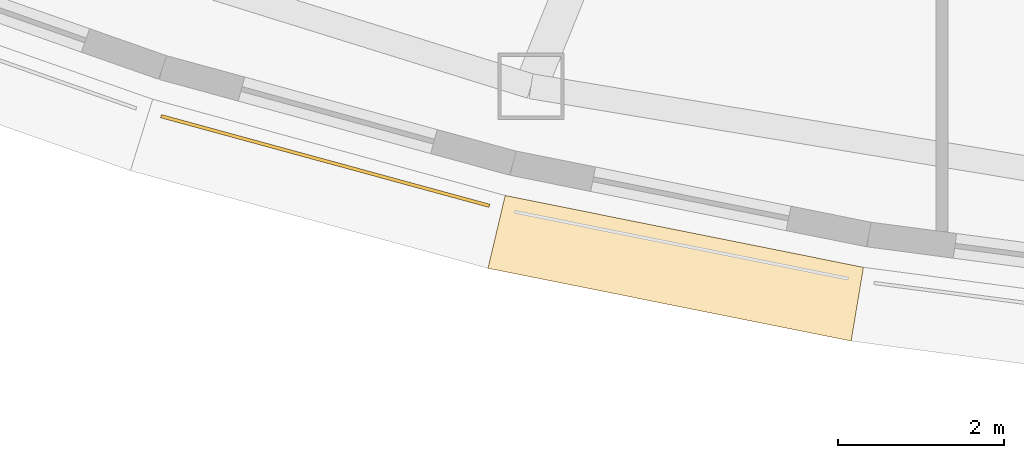
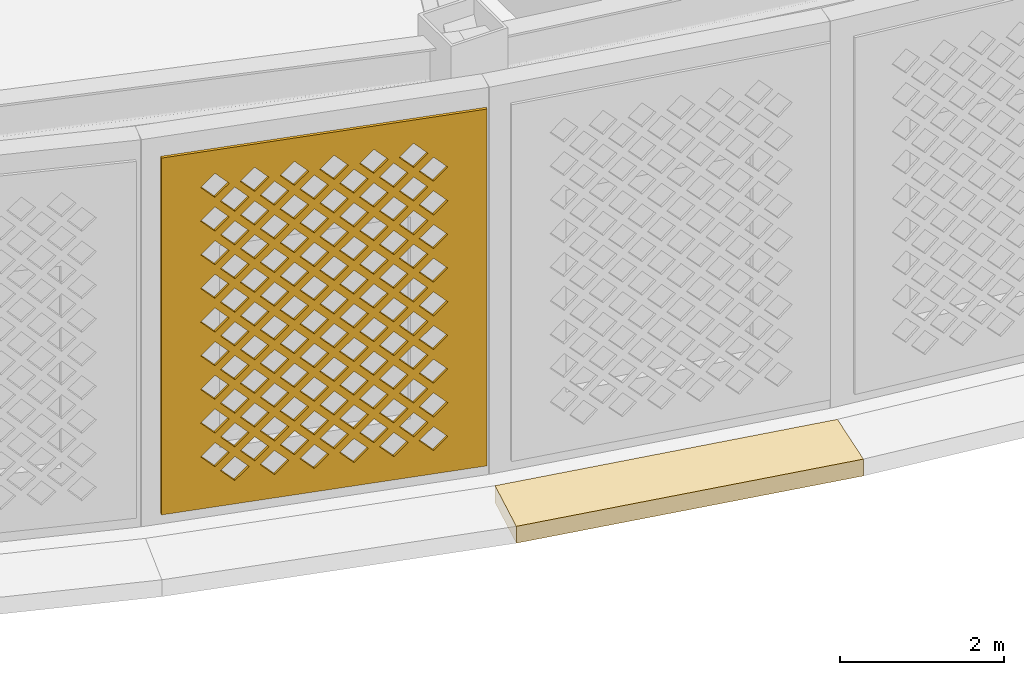
# One storey, part 54 of 74: 2 coverings.
"""IFC4 building model written with IfcOpenShell, lengths in metres."""

from ifc_helpers import new_model, si_unit, direction, frame, origin, place, context, subcontext, project, spatial, polyline, outline, extrude, material, layer, layer_set, type_object, element, save


model = new_model("IFC4")

# Units and contexts
model_context = context("Model", 3, precision=1e-05, world=origin(), true_north=direction((0.0, 1.0)))
body_context = subcontext(model_context, "Body", "Model", "MODEL_VIEW")
ifc_project = project(units=[si_unit("LENGTHUNIT", "METRE"), si_unit("AREAUNIT", "SQUARE_METRE"), si_unit("VOLUMEUNIT", "CUBIC_METRE"), si_unit("PLANEANGLEUNIT", "RADIAN"), si_unit("MASSUNIT", "GRAM", prefix="KILO")], contexts=[model_context])

# Site, building, storey
site_placement = place(None, origin())
site = spatial("IfcSite", under=ifc_project, at=site_placement, CompositionType="ELEMENT")
building_placement = place(site_placement, origin())
building = spatial("IfcBuilding", under=site, at=building_placement, Name="Noorbagh Ring Tower", CompositionType="ELEMENT")
storey_placement = place(building_placement, frame((0.0, 0.0, 13.5)))
storey = spatial("IfcBuildingStorey", under=building, at=storey_placement, Name="L02", CompositionType="ELEMENT", Elevation=13.5)

# Coverings
ifc_material_1 = material(Name="Red sandstone eave", Category="masonry")
covering_type_1 = type_object("IfcCoveringType", Name="STY-CHHAJJA", PredefinedType="USERDEFINED", material=ifc_material_1)
covering_1_placement = place(storey_placement, frame((0.0, 0.0, -0.25)))
element("IfcCovering", 1, at=covering_1_placement, inside=storey, type_object=covering_type_1, Name="Chhajja eave", ObjectType="CHHAJJA", PredefinedType="USERDEFINED", context=body_context, shape_type="SweptSolid", body=[
    extrude(outline(polyline([(-15.2568359375, -38.239501953125), (-10.945556640625, -39.103759765625), (-11.093017578125, -39.9921875), (-15.464111328125, -39.115966796875), (-15.2568359375, -38.239501953125)])), origin(), (0.0, 0.0, 1.0), 0.25),
])
ifc_material_2 = material(Name="Red sandstone jali", Category="masonry")
ifc_layer = layer(ifc_material_2, 0.0400390625)
ifc_layer_set = layer_set([ifc_layer], Name="Red sandstone jali")
covering_type_2 = type_object("IfcCoveringType", Name="STY-JALI", PredefinedType="USERDEFINED", material=ifc_layer_set)
covering_2_placement = place(storey_placement, frame((-19.40380859375, -37.30419921875, 0.449951171875), z_axis=(-0.26339977228, -0.964686767797, 0.0), x_axis=(0.964686767797, -0.26339977228, 0.0)))
element("IfcCovering", 2, at=covering_2_placement, inside=storey, type_object=covering_type_2, Name="Jali screen", ObjectType="SCREEN", PredefinedType="USERDEFINED", context=body_context, shape_type="SweptSolid", body=[
    extrude(outline(polyline([(0.0, 0.0), (4.096923828125, 0.0), (4.096923828125, 5.300048828125), (0.0, 5.300048828125), (0.0, 0.0)]), holes=[polyline([(0.743408203125, 0.52490234375), (0.923583984375, 0.344970703125), (1.103515625, 0.52490234375), (0.923583984375, 0.705078125), (0.743408203125, 0.52490234375)]), polyline([(1.243408203125, 0.52490234375), (1.423583984375, 0.344970703125), (1.603515625, 0.52490234375), (1.423583984375, 0.705078125), (1.243408203125, 0.52490234375)]), polyline([(1.743408203125, 0.52490234375), (1.923583984375, 0.344970703125), (2.103515625, 0.52490234375), (1.923583984375, 0.705078125), (1.743408203125, 0.52490234375)]), polyline([(2.243408203125, 0.52490234375), (2.423583984375, 0.344970703125), (2.603515625, 0.52490234375), (2.423583984375, 0.705078125), (2.243408203125, 0.52490234375)]), polyline([(2.743408203125, 0.52490234375), (2.923583984375, 0.344970703125), (3.103515625, 0.52490234375), (2.923583984375, 0.705078125), (2.743408203125, 0.52490234375)]), polyline([(3.243408203125, 0.52490234375), (3.423583984375, 0.344970703125), (3.603515625, 0.52490234375), (3.423583984375, 0.705078125), (3.243408203125, 0.52490234375)]), polyline([(0.493408203125, 0.77490234375), (0.673583984375, 0.594970703125), (0.853515625, 0.77490234375), (0.673583984375, 0.955078125), (0.493408203125, 0.77490234375)]), polyline([(0.993408203125, 0.77490234375), (1.173583984375, 0.594970703125), (1.353515625, 0.77490234375), (1.173583984375, 0.955078125), (0.993408203125, 0.77490234375)]), polyline([(1.493408203125, 0.77490234375), (1.673583984375, 0.594970703125), (1.853515625, 0.77490234375), (1.673583984375, 0.955078125), (1.493408203125, 0.77490234375)]), polyline([(1.993408203125, 0.77490234375), (2.173583984375, 0.594970703125), (2.353515625, 0.77490234375), (2.173583984375, 0.955078125), (1.993408203125, 0.77490234375)]), polyline([(2.493408203125, 0.77490234375), (2.673583984375, 0.594970703125), (2.853515625, 0.77490234375), (2.673583984375, 0.955078125), (2.493408203125, 0.77490234375)]), polyline([(2.993408203125, 0.77490234375), (3.173583984375, 0.594970703125), (3.353515625, 0.77490234375), (3.173583984375, 0.955078125), (2.993408203125, 0.77490234375)]), polyline([(0.743408203125, 1.02490234375), (0.923583984375, 0.844970703125), (1.103515625, 1.02490234375), (0.923583984375, 1.205078125), (0.743408203125, 1.02490234375)]), polyline([(1.243408203125, 1.02490234375), (1.423583984375, 0.844970703125), (1.603515625, 1.02490234375), (1.423583984375, 1.205078125), (1.243408203125, 1.02490234375)]), polyline([(1.743408203125, 1.02490234375), (1.923583984375, 0.844970703125), (2.103515625, 1.02490234375), (1.923583984375, 1.205078125), (1.743408203125, 1.02490234375)]), polyline([(2.243408203125, 1.02490234375), (2.423583984375, 0.844970703125), (2.603515625, 1.02490234375), (2.423583984375, 1.205078125), (2.243408203125, 1.02490234375)]), polyline([(2.743408203125, 1.02490234375), (2.923583984375, 0.844970703125), (3.103515625, 1.02490234375), (2.923583984375, 1.205078125), (2.743408203125, 1.02490234375)]), polyline([(3.243408203125, 1.02490234375), (3.423583984375, 0.844970703125), (3.603515625, 1.02490234375), (3.423583984375, 1.205078125), (3.243408203125, 1.02490234375)]), polyline([(0.493408203125, 1.27490234375), (0.673583984375, 1.094970703125), (0.853515625, 1.27490234375), (0.673583984375, 1.455078125), (0.493408203125, 1.27490234375)]), polyline([(0.993408203125, 1.27490234375), (1.173583984375, 1.094970703125), (1.353515625, 1.27490234375), (1.173583984375, 1.455078125), (0.993408203125, 1.27490234375)]), polyline([(1.493408203125, 1.27490234375), (1.673583984375, 1.094970703125), (1.853515625, 1.27490234375), (1.673583984375, 1.455078125), (1.493408203125, 1.27490234375)]), polyline([(1.993408203125, 1.27490234375), (2.173583984375, 1.094970703125), (2.353515625, 1.27490234375), (2.173583984375, 1.455078125), (1.993408203125, 1.27490234375)]), polyline([(2.493408203125, 1.27490234375), (2.673583984375, 1.094970703125), (2.853515625, 1.27490234375), (2.673583984375, 1.455078125), (2.493408203125, 1.27490234375)]), polyline([(2.993408203125, 1.27490234375), (3.173583984375, 1.094970703125), (3.353515625, 1.27490234375), (3.173583984375, 1.455078125), (2.993408203125, 1.27490234375)]), polyline([(0.743408203125, 1.52490234375), (0.923583984375, 1.344970703125), (1.103515625, 1.52490234375), (0.923583984375, 1.705078125), (0.743408203125, 1.52490234375)]), polyline([(1.243408203125, 1.52490234375), (1.423583984375, 1.344970703125), (1.603515625, 1.52490234375), (1.423583984375, 1.705078125), (1.243408203125, 1.52490234375)]), polyline([(1.743408203125, 1.52490234375), (1.923583984375, 1.344970703125), (2.103515625, 1.52490234375), (1.923583984375, 1.705078125), (1.743408203125, 1.52490234375)]), polyline([(2.243408203125, 1.52490234375), (2.423583984375, 1.344970703125), (2.603515625, 1.52490234375), (2.423583984375, 1.705078125), (2.243408203125, 1.52490234375)]), polyline([(2.743408203125, 1.52490234375), (2.923583984375, 1.344970703125), (3.103515625, 1.52490234375), (2.923583984375, 1.705078125), (2.743408203125, 1.52490234375)]), polyline([(3.243408203125, 1.52490234375), (3.423583984375, 1.344970703125), (3.603515625, 1.52490234375), (3.423583984375, 1.705078125), (3.243408203125, 1.52490234375)]), polyline([(0.493408203125, 1.77490234375), (0.673583984375, 1.594970703125), (0.853515625, 1.77490234375), (0.673583984375, 1.955078125), (0.493408203125, 1.77490234375)]), polyline([(0.993408203125, 1.77490234375), (1.173583984375, 1.594970703125), (1.353515625, 1.77490234375), (1.173583984375, 1.955078125), (0.993408203125, 1.77490234375)]), polyline([(1.493408203125, 1.77490234375), (1.673583984375, 1.594970703125), (1.853515625, 1.77490234375), (1.673583984375, 1.955078125), (1.493408203125, 1.77490234375)]), polyline([(1.993408203125, 1.77490234375), (2.173583984375, 1.594970703125), (2.353515625, 1.77490234375), (2.173583984375, 1.955078125), (1.993408203125, 1.77490234375)]), polyline([(2.493408203125, 1.77490234375), (2.673583984375, 1.594970703125), (2.853515625, 1.77490234375), (2.673583984375, 1.955078125), (2.493408203125, 1.77490234375)]), polyline([(2.993408203125, 1.77490234375), (3.173583984375, 1.594970703125), (3.353515625, 1.77490234375), (3.173583984375, 1.955078125), (2.993408203125, 1.77490234375)]), polyline([(0.743408203125, 2.02490234375), (0.923583984375, 1.844970703125), (1.103515625, 2.02490234375), (0.923583984375, 2.205078125), (0.743408203125, 2.02490234375)]), polyline([(1.243408203125, 2.02490234375), (1.423583984375, 1.844970703125), (1.603515625, 2.02490234375), (1.423583984375, 2.205078125), (1.243408203125, 2.02490234375)]), polyline([(1.743408203125, 2.02490234375), (1.923583984375, 1.844970703125), (2.103515625, 2.02490234375), (1.923583984375, 2.205078125), (1.743408203125, 2.02490234375)]), polyline([(2.243408203125, 2.02490234375), (2.423583984375, 1.844970703125), (2.603515625, 2.02490234375), (2.423583984375, 2.205078125), (2.243408203125, 2.02490234375)]), polyline([(2.743408203125, 2.02490234375), (2.923583984375, 1.844970703125), (3.103515625, 2.02490234375), (2.923583984375, 2.205078125), (2.743408203125, 2.02490234375)]), polyline([(3.243408203125, 2.02490234375), (3.423583984375, 1.844970703125), (3.603515625, 2.02490234375), (3.423583984375, 2.205078125), (3.243408203125, 2.02490234375)]), polyline([(0.493408203125, 2.27490234375), (0.673583984375, 2.094970703125), (0.853515625, 2.27490234375), (0.673583984375, 2.455078125), (0.493408203125, 2.27490234375)]), polyline([(0.993408203125, 2.27490234375), (1.173583984375, 2.094970703125), (1.353515625, 2.27490234375), (1.173583984375, 2.455078125), (0.993408203125, 2.27490234375)]), polyline([(1.493408203125, 2.27490234375), (1.673583984375, 2.094970703125), (1.853515625, 2.27490234375), (1.673583984375, 2.455078125), (1.493408203125, 2.27490234375)]), polyline([(1.993408203125, 2.27490234375), (2.173583984375, 2.094970703125), (2.353515625, 2.27490234375), (2.173583984375, 2.455078125), (1.993408203125, 2.27490234375)]), polyline([(2.493408203125, 2.27490234375), (2.673583984375, 2.094970703125), (2.853515625, 2.27490234375), (2.673583984375, 2.455078125), (2.493408203125, 2.27490234375)]), polyline([(2.993408203125, 2.27490234375), (3.173583984375, 2.094970703125), (3.353515625, 2.27490234375), (3.173583984375, 2.455078125), (2.993408203125, 2.27490234375)]), polyline([(0.743408203125, 2.52490234375), (0.923583984375, 2.344970703125), (1.103515625, 2.52490234375), (0.923583984375, 2.705078125), (0.743408203125, 2.52490234375)]), polyline([(1.243408203125, 2.52490234375), (1.423583984375, 2.344970703125), (1.603515625, 2.52490234375), (1.423583984375, 2.705078125), (1.243408203125, 2.52490234375)]), polyline([(1.743408203125, 2.52490234375), (1.923583984375, 2.344970703125), (2.103515625, 2.52490234375), (1.923583984375, 2.705078125), (1.743408203125, 2.52490234375)]), polyline([(2.243408203125, 2.52490234375), (2.423583984375, 2.344970703125), (2.603515625, 2.52490234375), (2.423583984375, 2.705078125), (2.243408203125, 2.52490234375)]), polyline([(2.743408203125, 2.52490234375), (2.923583984375, 2.344970703125), (3.103515625, 2.52490234375), (2.923583984375, 2.705078125), (2.743408203125, 2.52490234375)]), polyline([(3.243408203125, 2.52490234375), (3.423583984375, 2.344970703125), (3.603515625, 2.52490234375), (3.423583984375, 2.705078125), (3.243408203125, 2.52490234375)]), polyline([(0.493408203125, 2.77490234375), (0.673583984375, 2.594970703125), (0.853515625, 2.77490234375), (0.673583984375, 2.955078125), (0.493408203125, 2.77490234375)]), polyline([(0.993408203125, 2.77490234375), (1.173583984375, 2.594970703125), (1.353515625, 2.77490234375), (1.173583984375, 2.955078125), (0.993408203125, 2.77490234375)]), polyline([(1.493408203125, 2.77490234375), (1.673583984375, 2.594970703125), (1.853515625, 2.77490234375), (1.673583984375, 2.955078125), (1.493408203125, 2.77490234375)]), polyline([(1.993408203125, 2.77490234375), (2.173583984375, 2.594970703125), (2.353515625, 2.77490234375), (2.173583984375, 2.955078125), (1.993408203125, 2.77490234375)]), polyline([(2.493408203125, 2.77490234375), (2.673583984375, 2.594970703125), (2.853515625, 2.77490234375), (2.673583984375, 2.955078125), (2.493408203125, 2.77490234375)]), polyline([(2.993408203125, 2.77490234375), (3.173583984375, 2.594970703125), (3.353515625, 2.77490234375), (3.173583984375, 2.955078125), (2.993408203125, 2.77490234375)]), polyline([(0.743408203125, 3.02490234375), (0.923583984375, 2.844970703125), (1.103515625, 3.02490234375), (0.923583984375, 3.205078125), (0.743408203125, 3.02490234375)]), polyline([(1.243408203125, 3.02490234375), (1.423583984375, 2.844970703125), (1.603515625, 3.02490234375), (1.423583984375, 3.205078125), (1.243408203125, 3.02490234375)]), polyline([(1.743408203125, 3.02490234375), (1.923583984375, 2.844970703125), (2.103515625, 3.02490234375), (1.923583984375, 3.205078125), (1.743408203125, 3.02490234375)]), polyline([(2.243408203125, 3.02490234375), (2.423583984375, 2.844970703125), (2.603515625, 3.02490234375), (2.423583984375, 3.205078125), (2.243408203125, 3.02490234375)]), polyline([(2.743408203125, 3.02490234375), (2.923583984375, 2.844970703125), (3.103515625, 3.02490234375), (2.923583984375, 3.205078125), (2.743408203125, 3.02490234375)]), polyline([(3.243408203125, 3.02490234375), (3.423583984375, 2.844970703125), (3.603515625, 3.02490234375), (3.423583984375, 3.205078125), (3.243408203125, 3.02490234375)]), polyline([(0.493408203125, 3.27490234375), (0.673583984375, 3.094970703125), (0.853515625, 3.27490234375), (0.673583984375, 3.455078125), (0.493408203125, 3.27490234375)]), polyline([(0.993408203125, 3.27490234375), (1.173583984375, 3.094970703125), (1.353515625, 3.27490234375), (1.173583984375, 3.455078125), (0.993408203125, 3.27490234375)]), polyline([(1.493408203125, 3.27490234375), (1.673583984375, 3.094970703125), (1.853515625, 3.27490234375), (1.673583984375, 3.455078125), (1.493408203125, 3.27490234375)]), polyline([(1.993408203125, 3.27490234375), (2.173583984375, 3.094970703125), (2.353515625, 3.27490234375), (2.173583984375, 3.455078125), (1.993408203125, 3.27490234375)]), polyline([(2.493408203125, 3.27490234375), (2.673583984375, 3.094970703125), (2.853515625, 3.27490234375), (2.673583984375, 3.455078125), (2.493408203125, 3.27490234375)]), polyline([(2.993408203125, 3.27490234375), (3.173583984375, 3.094970703125), (3.353515625, 3.27490234375), (3.173583984375, 3.455078125), (2.993408203125, 3.27490234375)]), polyline([(0.743408203125, 3.52490234375), (0.923583984375, 3.344970703125), (1.103515625, 3.52490234375), (0.923583984375, 3.705078125), (0.743408203125, 3.52490234375)]), polyline([(1.243408203125, 3.52490234375), (1.423583984375, 3.344970703125), (1.603515625, 3.52490234375), (1.423583984375, 3.705078125), (1.243408203125, 3.52490234375)]), polyline([(1.743408203125, 3.52490234375), (1.923583984375, 3.344970703125), (2.103515625, 3.52490234375), (1.923583984375, 3.705078125), (1.743408203125, 3.52490234375)]), polyline([(2.243408203125, 3.52490234375), (2.423583984375, 3.344970703125), (2.603515625, 3.52490234375), (2.423583984375, 3.705078125), (2.243408203125, 3.52490234375)]), polyline([(2.743408203125, 3.52490234375), (2.923583984375, 3.344970703125), (3.103515625, 3.52490234375), (2.923583984375, 3.705078125), (2.743408203125, 3.52490234375)]), polyline([(3.243408203125, 3.52490234375), (3.423583984375, 3.344970703125), (3.603515625, 3.52490234375), (3.423583984375, 3.705078125), (3.243408203125, 3.52490234375)]), polyline([(0.493408203125, 3.77490234375), (0.673583984375, 3.594970703125), (0.853515625, 3.77490234375), (0.673583984375, 3.955078125), (0.493408203125, 3.77490234375)]), polyline([(0.993408203125, 3.77490234375), (1.173583984375, 3.594970703125), (1.353515625, 3.77490234375), (1.173583984375, 3.955078125), (0.993408203125, 3.77490234375)]), polyline([(1.493408203125, 3.77490234375), (1.673583984375, 3.594970703125), (1.853515625, 3.77490234375), (1.673583984375, 3.955078125), (1.493408203125, 3.77490234375)]), polyline([(1.993408203125, 3.77490234375), (2.173583984375, 3.594970703125), (2.353515625, 3.77490234375), (2.173583984375, 3.955078125), (1.993408203125, 3.77490234375)]), polyline([(2.493408203125, 3.77490234375), (2.673583984375, 3.594970703125), (2.853515625, 3.77490234375), (2.673583984375, 3.955078125), (2.493408203125, 3.77490234375)]), polyline([(2.993408203125, 3.77490234375), (3.173583984375, 3.594970703125), (3.353515625, 3.77490234375), (3.173583984375, 3.955078125), (2.993408203125, 3.77490234375)]), polyline([(0.743408203125, 4.02490234375), (0.923583984375, 3.844970703125), (1.103515625, 4.02490234375), (0.923583984375, 4.205078125), (0.743408203125, 4.02490234375)]), polyline([(1.243408203125, 4.02490234375), (1.423583984375, 3.844970703125), (1.603515625, 4.02490234375), (1.423583984375, 4.205078125), (1.243408203125, 4.02490234375)]), polyline([(1.743408203125, 4.02490234375), (1.923583984375, 3.844970703125), (2.103515625, 4.02490234375), (1.923583984375, 4.205078125), (1.743408203125, 4.02490234375)]), polyline([(2.243408203125, 4.02490234375), (2.423583984375, 3.844970703125), (2.603515625, 4.02490234375), (2.423583984375, 4.205078125), (2.243408203125, 4.02490234375)]), polyline([(2.743408203125, 4.02490234375), (2.923583984375, 3.844970703125), (3.103515625, 4.02490234375), (2.923583984375, 4.205078125), (2.743408203125, 4.02490234375)]), polyline([(3.243408203125, 4.02490234375), (3.423583984375, 3.844970703125), (3.603515625, 4.02490234375), (3.423583984375, 4.205078125), (3.243408203125, 4.02490234375)]), polyline([(0.493408203125, 4.27490234375), (0.673583984375, 4.094970703125), (0.853515625, 4.27490234375), (0.673583984375, 4.455078125), (0.493408203125, 4.27490234375)]), polyline([(0.993408203125, 4.27490234375), (1.173583984375, 4.094970703125), (1.353515625, 4.27490234375), (1.173583984375, 4.455078125), (0.993408203125, 4.27490234375)]), polyline([(1.493408203125, 4.27490234375), (1.673583984375, 4.094970703125), (1.853515625, 4.27490234375), (1.673583984375, 4.455078125), (1.493408203125, 4.27490234375)]), polyline([(1.993408203125, 4.27490234375), (2.173583984375, 4.094970703125), (2.353515625, 4.27490234375), (2.173583984375, 4.455078125), (1.993408203125, 4.27490234375)]), polyline([(2.493408203125, 4.27490234375), (2.673583984375, 4.094970703125), (2.853515625, 4.27490234375), (2.673583984375, 4.455078125), (2.493408203125, 4.27490234375)]), polyline([(2.993408203125, 4.27490234375), (3.173583984375, 4.094970703125), (3.353515625, 4.27490234375), (3.173583984375, 4.455078125), (2.993408203125, 4.27490234375)]), polyline([(0.743408203125, 4.52490234375), (0.923583984375, 4.344970703125), (1.103515625, 4.52490234375), (0.923583984375, 4.705078125), (0.743408203125, 4.52490234375)]), polyline([(1.243408203125, 4.52490234375), (1.423583984375, 4.344970703125), (1.603515625, 4.52490234375), (1.423583984375, 4.705078125), (1.243408203125, 4.52490234375)]), polyline([(1.743408203125, 4.52490234375), (1.923583984375, 4.344970703125), (2.103515625, 4.52490234375), (1.923583984375, 4.705078125), (1.743408203125, 4.52490234375)]), polyline([(2.243408203125, 4.52490234375), (2.423583984375, 4.344970703125), (2.603515625, 4.52490234375), (2.423583984375, 4.705078125), (2.243408203125, 4.52490234375)]), polyline([(2.743408203125, 4.52490234375), (2.923583984375, 4.344970703125), (3.103515625, 4.52490234375), (2.923583984375, 4.705078125), (2.743408203125, 4.52490234375)]), polyline([(3.243408203125, 4.52490234375), (3.423583984375, 4.344970703125), (3.603515625, 4.52490234375), (3.423583984375, 4.705078125), (3.243408203125, 4.52490234375)]), polyline([(0.493408203125, 4.77490234375), (0.673583984375, 4.594970703125), (0.853515625, 4.77490234375), (0.673583984375, 4.955078125), (0.493408203125, 4.77490234375)]), polyline([(0.993408203125, 4.77490234375), (1.173583984375, 4.594970703125), (1.353515625, 4.77490234375), (1.173583984375, 4.955078125), (0.993408203125, 4.77490234375)]), polyline([(1.493408203125, 4.77490234375), (1.673583984375, 4.594970703125), (1.853515625, 4.77490234375), (1.673583984375, 4.955078125), (1.493408203125, 4.77490234375)]), polyline([(1.993408203125, 4.77490234375), (2.173583984375, 4.594970703125), (2.353515625, 4.77490234375), (2.173583984375, 4.955078125), (1.993408203125, 4.77490234375)]), polyline([(2.493408203125, 4.77490234375), (2.673583984375, 4.594970703125), (2.853515625, 4.77490234375), (2.673583984375, 4.955078125), (2.493408203125, 4.77490234375)]), polyline([(2.993408203125, 4.77490234375), (3.173583984375, 4.594970703125), (3.353515625, 4.77490234375), (3.173583984375, 4.955078125), (2.993408203125, 4.77490234375)])]), origin(), (0.0, 0.0, -1.0), 0.0400390625),
])

save(model, "model.ifc")
